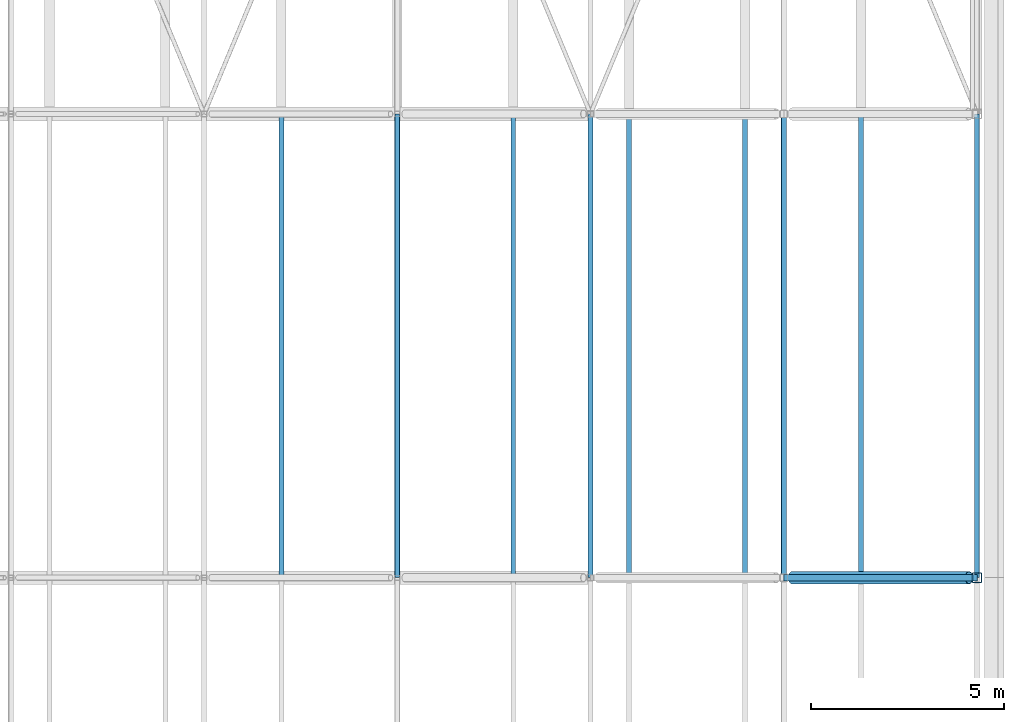
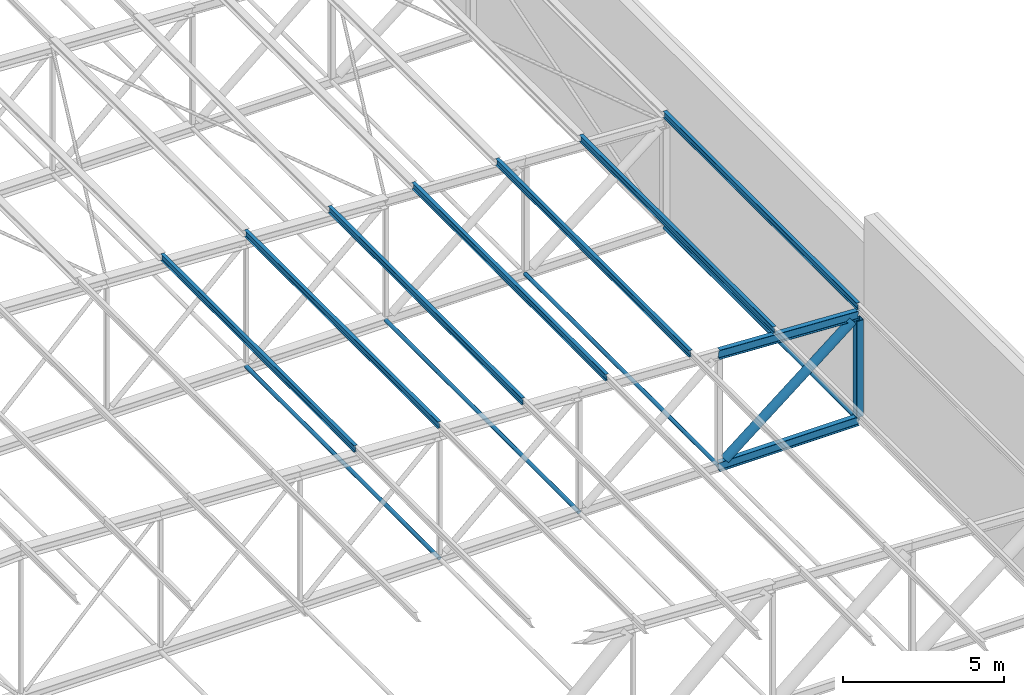
# One storey, part 118 of 156: 15 members.
"""IFC4 building model written with IfcOpenShell, lengths in metres."""

import ifcopenshell
import ifcopenshell.guid

model = None  # the IFC model being written
_history = None  # IfcOwnerHistory: only IFC2X3 demands one
_inside = {}  # id of a spatial element -> (the spatial element, [elements in it])
_under = {}  # id of a project, library or spatial element -> (it, [spatial elements below it])
_declared = {}  # id of a project -> (the project, [libraries it declares])
_typed = {}  # id of a type object -> (the type object, [elements of that type])
_made_of = {}  # id of a material, layer set ... -> (it, [elements and type objects made of it])


def new_model(schema):
    """Start an empty IFC model of exactly this schema.

    Asked for "IFC4X3", IfcOpenShell would pick the latest addendum, in which some entities
    have other attributes; the version numbers below select the first issue.
    IFC2X3 requires an IfcOwnerHistory on every rooted entity: one is made here for all.
    """
    global model, _history
    if schema == "IFC4X3":
        model = ifcopenshell.file(schema_version=(4, 3, 0, 0))
    else:
        model = ifcopenshell.file(schema=schema)
    _inside.clear()
    _under.clear()
    _declared.clear()
    _typed.clear()
    _made_of.clear()
    _history = None
    if model.schema == "IFC2X3":
        org = make("IfcOrganization", Name="unknown")
        user = make(
            "IfcPersonAndOrganization",
            ThePerson=make("IfcPerson", FamilyName="unknown"),
            TheOrganization=org,
        )
        app = make(
            "IfcApplication",
            ApplicationDeveloper=org,
            Version="unknown",
            ApplicationFullName="unknown",
            ApplicationIdentifier="unknown",
        )
        _history = make(
            "IfcOwnerHistory",
            OwningUser=user,
            OwningApplication=app,
            ChangeAction="ADDED",
            CreationDate=0,
        )
    return model


def make(cls, **values):
    """One entity of the class cls with the attributes given. An attribute that is None is left unset."""
    return model.create_entity(
        cls, **{name: value for name, value in values.items() if value is not None}
    )


def rooted(cls, **values):
    """An entity with a GlobalId (a new one), such as an element, a storey or a relation."""
    return make(cls, GlobalId=ifcopenshell.guid.new(), OwnerHistory=_history, **values)


def si_unit(unit_type, name, prefix=None):
    """IfcSIUnit, for example si_unit("LENGTHUNIT", "METRE", prefix="MILLI")."""
    return make("IfcSIUnit", UnitType=unit_type, Prefix=prefix, Name=name)


def assignment(units):
    """IfcUnitAssignment: the units of a project."""
    return None if units is None else make("IfcUnitAssignment", Units=units)


def point(xyz):
    """IfcCartesianPoint."""
    return None if xyz is None else make("IfcCartesianPoint", Coordinates=xyz)


def direction(xyz):
    """IfcDirection."""
    return None if xyz is None else make("IfcDirection", DirectionRatios=xyz)


def frame(location, z_axis=None, x_axis=None):
    """IfcAxis2Placement3D, a coordinate frame: its origin and axes. An axis left out is left unset."""
    return make(
        "IfcAxis2Placement3D",
        Location=point(location),
        Axis=direction(z_axis),
        RefDirection=direction(x_axis),
    )


def frame_2d(location, x_axis=None):
    """IfcAxis2Placement2D, a coordinate frame in the plane: its origin and x axis."""
    return make(
        "IfcAxis2Placement2D", Location=point(location), RefDirection=direction(x_axis)
    )


def origin():
    """The frame at (0, 0, 0) with its axes left unset."""
    return frame((0.0, 0.0, 0.0))


def origin_2d():
    """The frame at (0, 0) in the plane with its x axis left unset."""
    return frame_2d((0.0, 0.0))


def place(relative_to, where):
    """IfcLocalPlacement: puts the frame where relative to a parent placement (None: the world)."""
    return make(
        "IfcLocalPlacement", PlacementRelTo=relative_to, RelativePlacement=where
    )


def context(
    kind, dimensions, precision=None, world=None, true_north=None, identifier=None
):
    """IfcGeometricRepresentationContext, for example the 3D "Model" context."""
    return make(
        "IfcGeometricRepresentationContext",
        ContextIdentifier=identifier,
        ContextType=kind,
        CoordinateSpaceDimension=dimensions,
        Precision=precision,
        WorldCoordinateSystem=world,
        TrueNorth=true_north,
    )


def subcontext(parent, identifier, kind, view, scale=None):
    """IfcGeometricRepresentationSubContext, for example "Body" below "Model"."""
    return make(
        "IfcGeometricRepresentationSubContext",
        ContextIdentifier=identifier,
        ContextType=kind,
        ParentContext=parent,
        TargetScale=scale,
        TargetView=view,
    )


def project(units=None, contexts=None):
    """IfcProject with its units and contexts."""
    return rooted(
        "IfcProject",
        Name="project",
        RepresentationContexts=contexts,
        UnitsInContext=assignment(units),
    )


def spatial(cls, under=None, at=None, **own):
    """A site, building, storey or space (cls), placed at a placement, below another one or the project."""
    s = rooted(cls, ObjectPlacement=at, **own)
    if under is not None:
        _under.setdefault(under.id(), (under, []))[1].append(s)
    return s


def profile(cls, at=None, kind="AREA", **sizes):
    """A parametric profile (cls). Its sizes go by their IFC names, for example OverallWidth=200.0."""
    return make(cls, ProfileType=kind, Position=at, **sizes)


def hollow_rectangle(**sizes):
    """IfcRectangleHollowProfileDef."""
    return profile("IfcRectangleHollowProfileDef", **sizes)


def hollow_circle(**sizes):
    """IfcCircleHollowProfileDef."""
    return profile("IfcCircleHollowProfileDef", **sizes)


def i_section(**sizes):
    """IfcIShapeProfileDef."""
    return profile("IfcIShapeProfileDef", **sizes)


def extrude(swept, where, along, depth):
    """IfcExtrudedAreaSolid: the profile swept, set in the frame where, extruded along a direction by depth."""
    return make(
        "IfcExtrudedAreaSolid",
        SweptArea=swept,
        Position=where,
        ExtrudedDirection=direction(along),
        Depth=depth,
    )


def shape(context_of_items, identifier, shape_type, items):
    """IfcShapeRepresentation: the items that make up one representation, for example the "Body"."""
    return make(
        "IfcShapeRepresentation",
        ContextOfItems=context_of_items,
        RepresentationIdentifier=identifier,
        RepresentationType=shape_type,
        Items=items,
    )


def material(Name=None, Category=None):
    """IfcMaterial."""
    return make("IfcMaterial", Name=Name, Category=Category)


def material_profile(
    of_material, cross_section, Name=None, Category=None, Priority=None
):
    """IfcMaterialProfile: a cross section and its material."""
    return make(
        "IfcMaterialProfile",
        Name=Name,
        Material=of_material,
        Profile=cross_section,
        Priority=Priority,
        Category=Category,
    )


def profile_set(profiles, Name=None, composite=None):
    """IfcMaterialProfileSet."""
    return make(
        "IfcMaterialProfileSet",
        Name=Name,
        MaterialProfiles=profiles,
        CompositeProfile=composite,
    )


def made_of(thing, what):
    """Note that an element or type object is made of a material, layer set ...; save() writes the relation."""
    if what is not None:
        _made_of.setdefault(what.id(), (what, []))[1].append(thing)
    return thing


def type_object(cls, material=None, **own):
    """A type object (cls), such as IfcWallType, which elements share."""
    return made_of(rooted(cls, **own), material)


def element(
    cls,
    number,
    at=None,
    inside=None,
    cuts=None,
    type_object=None,
    material=None,
    context=None,
    identifier="Body",
    shape_type=None,
    held_by="IfcProductDefinitionShape",
    body=None,
    shapes=None,
    **own,
):
    """One element of the class cls, such as IfcWall. Its Tag is "e" and its number.

    at: its placement. inside: the storey or other place that contains it. cuts: it is an
    opening in that element (IfcRelVoidsElement). A single representation is given by context,
    identifier, shape_type and body (its items); several are given by shapes. held_by: the class
    of the entity that holds the representations. save() writes the other relations.
    """
    e = rooted(cls, Tag="e%d" % number, ObjectPlacement=at, **own)
    if body is not None:
        shapes = [shape(context, identifier, shape_type, body)]
    if shapes is not None:
        e.Representation = make(held_by, Representations=shapes)
    if inside is not None:
        _inside.setdefault(inside.id(), (inside, []))[1].append(e)
    if cuts is not None:
        rooted(
            "IfcRelVoidsElement", RelatingBuildingElement=cuts, RelatedOpeningElement=e
        )
    if type_object is not None:
        _typed.setdefault(type_object.id(), (type_object, []))[1].append(e)
    return made_of(e, material)


def aggregate(whole, parts):
    """IfcRelAggregates: a whole, such as a stair, and the parts it consists of."""
    return rooted("IfcRelAggregates", RelatingObject=whole, RelatedObjects=parts)


def save(model, path):
    """Write the relations noted so far, then the file.

    IfcRelAggregates (storeys below a building ...), IfcRelContainedInSpatialStructure (elements
    in a storey), IfcRelDefinesByType, IfcRelAssociatesMaterial and IfcRelDeclares: one each for
    every whole, place, type object, material and project.
    """
    for whole, parts in _under.values():
        aggregate(whole, parts)
    for where, things in _inside.values():
        rooted(
            "IfcRelContainedInSpatialStructure",
            RelatedElements=things,
            RelatingStructure=where,
        )
    for kind, things in _typed.values():
        rooted("IfcRelDefinesByType", RelatedObjects=things, RelatingType=kind)
    for what, things in _made_of.values():
        rooted("IfcRelAssociatesMaterial", RelatedObjects=things, RelatingMaterial=what)
    for by, libraries in _declared.values():
        rooted("IfcRelDeclares", RelatingContext=by, RelatedDefinitions=libraries)
    model.write(path)


model = new_model("IFC4")

# Units and contexts
model_context = context("Model", 3, precision=1e-05, world=origin(), true_north=direction((0.0, 1.0)))
body_context = subcontext(model_context, "Body", "Model", "MODEL_VIEW")
ifc_project = project(units=[si_unit("LENGTHUNIT", "METRE"), si_unit("AREAUNIT", "SQUARE_METRE"), si_unit("VOLUMEUNIT", "CUBIC_METRE"), si_unit("PLANEANGLEUNIT", "RADIAN"), si_unit("MASSUNIT", "GRAM", prefix="KILO")], contexts=[model_context])

# Site, building, storey
site_placement = place(None, origin())
site = spatial("IfcSite", under=ifc_project, at=site_placement, CompositionType="ELEMENT")
building_placement = place(site_placement, origin())
building = spatial("IfcBuilding", under=site, at=building_placement, Name="Lilac Gate Convention Centre", CompositionType="ELEMENT")
storey_placement = place(building_placement, frame((0.0, 0.0, 17.0)))
storey = spatial("IfcBuildingStorey", under=building, at=storey_placement, Name="L03", CompositionType="ELEMENT", Elevation=17.0)

# Members
ifc_material = material(Name="Steel Q355B", Category="steel")
ifc_material_profile_1 = material_profile(ifc_material, hollow_circle(Radius=0.06982421875, WallThickness=0.0048828125, at=origin_2d()), Name="CHS139.7x5")
ifc_profile_set_1 = profile_set([ifc_material_profile_1], Name="Steel Q355B")
member_type_1 = type_object("IfcMemberType", Name="Bottom chord tie CHS139.7x5", PredefinedType="STRUT", material=ifc_profile_set_1)
member_1_placement = place(storey_placement, frame((75.0, 162.006103515625, 0.0), z_axis=(0.0, 1.0, 0.0), x_axis=(-1.0, 0.0, 0.0)))
element("IfcMember", 1, at=member_1_placement, inside=storey, type_object=member_type_1, Name="ST1 tie bay 12 node 10", PredefinedType="STRUT", context=body_context, shape_type="SweptSolid", body=[
    extrude(hollow_circle(Radius=0.06982421875, WallThickness=0.0048828125, at=origin_2d()), origin(), (0.0, 0.0, 1.0), 11.98779296875),
])
for number, where, z_axis, x_axis, name in (
    (2, (80.0, 162.00341796875, 0.0), (0.0, 1.0, 0.0), (-1.0, 0.0, 0.0), "ST1 tie bay 12 node 11"),
    (3, (85.0, 162.00341796875, 0.0), (0.0, 1.0, 0.0), (-1.0, 0.0, 0.0), "ST1 tie bay 12 node 12"),
    (4, (90.0, 162.00341796875, 0.0), (0.0, 1.0, 0.0), (-1.0, 0.0, 0.0), "ST1 tie bay 12 node 13"),
):
    element("IfcMember", number, at=place(storey_placement, frame(where, z_axis=z_axis, x_axis=x_axis)), inside=storey, type_object=member_type_1, Name=name, PredefinedType="STRUT", context=body_context, shape_type="SweptSolid", body=[
        extrude(hollow_circle(Radius=0.06982421875, WallThickness=0.0048828125, at=origin_2d()), origin(), (0.0, 0.0, 1.0), 11.9931640625),
    ])
ifc_material_profile_2 = material_profile(ifc_material, i_section(OverallWidth=0.125, OverallDepth=0.25, WebThickness=0.006103515625, FlangeThickness=0.009033203125, FilletRadius=0.008056640625, at=origin_2d()), Name="HN250x125x6x9")
ifc_profile_set_2 = profile_set([ifc_material_profile_2], Name="Steel Q355B")
member_type_2 = type_object("IfcMemberType", Name="Roof purlin HN250x125x6x9", PredefinedType="PURLIN", material=ifc_profile_set_2)
for number, where, z_axis, x_axis, name in (
    (5, (72.0, 162.0, 5.2001953125), (0.0, 1.0, 0.0), (-1.0, 0.0, 0.0), "PU2 purlin bay 12 line 15"),
    (6, (75.0, 162.0, 5.05029296875), (0.0, 1.0, 0.0), (-1.0, 0.0, 0.0), "PU2 purlin bay 12 line 16"),
    (7, (78.0, 162.0, 4.900146484375), (0.0, 1.0, 0.0), (-1.0, 0.0, 0.0), "PU2 purlin bay 12 line 17"),
    (8, (81.0, 162.0, 4.750244140625), (0.0, 1.0, 0.0), (-1.0, 0.0, 0.0), "PU2 purlin bay 12 line 18"),
    (9, (84.0, 162.0, 4.60009765625), (0.0, 1.0, 0.0), (-1.0, 0.0, 0.0), "PU2 purlin bay 12 line 19"),
    (10, (87.0, 162.0, 4.4501953125), (0.0, 1.0, 0.0), (-1.0, 0.0, 0.0), "PU2 purlin bay 12 line 20"),
    (11, (90.0, 162.0, 4.30029296875), (0.0, 1.0, 0.0), (-1.0, 0.0, 0.0), "PU2 purlin bay 12 line 21"),
):
    element("IfcMember", number, at=place(storey_placement, frame(where, z_axis=z_axis, x_axis=x_axis)), inside=storey, type_object=member_type_2, Name=name, PredefinedType="PURLIN", context=body_context, shape_type="SweptSolid", body=[
        extrude(i_section(OverallWidth=0.125, OverallDepth=0.25, WebThickness=0.006103515625, FlangeThickness=0.009033203125, FilletRadius=0.008056640625, at=origin_2d()), origin(), (0.0, 0.0, 1.0), 12.0),
    ])
ifc_material_profile_3 = material_profile(ifc_material, i_section(OverallWidth=0.175048828125, OverallDepth=0.35009765625, WebThickness=0.007080078125, FlangeThickness=0.010986328125, FilletRadius=0.012939453125, at=origin_2d()), Name="HN350x175x7x11")
ifc_profile_set_3 = profile_set([ifc_material_profile_3], Name="Steel Q355B")
member_type_3 = type_object("IfcMemberType", Name="Truss bottom chord HN350x175x7x11", PredefinedType="CHORD", material=ifc_profile_set_3)
member_2_placement = place(storey_placement, frame((85.0, 162.0, 0.0), z_axis=(1.0, 0.0, 0.0), x_axis=(0.0, 1.0, 0.0)))
element("IfcMember", 12, at=member_2_placement, inside=storey, type_object=member_type_3, Name="TB1 truss 12 bottom chord 12", PredefinedType="CHORD", context=body_context, shape_type="SweptSolid", body=[
    extrude(i_section(OverallWidth=0.175048828125, OverallDepth=0.35009765625, WebThickness=0.007080078125, FlangeThickness=0.010986328125, FilletRadius=0.012939453125, at=origin_2d()), origin(), (0.0, 0.0, 1.0), 5.0),
])
ifc_material_profile_4 = material_profile(ifc_material, hollow_circle(Radius=0.161865234375, WallThickness=0.011962890625, at=origin_2d()), Name="CHS323.9x12")
ifc_profile_set_4 = profile_set([ifc_material_profile_4], Name="Steel Q355B")
member_type_4 = type_object("IfcMemberType", Name="Truss diagonal CHS323.9x12", PredefinedType="BRACE", material=ifc_profile_set_4)
member_3_placement = place(storey_placement, frame((89.794677734375, 162.0, 3.835693359375), z_axis=(-0.780876938611, 0.0, -0.624684885959), x_axis=(0.0, -1.0, 0.0)))
element("IfcMember", 13, at=member_3_placement, inside=storey, type_object=member_type_4, Name="TW1 truss 12 diagonal 12", PredefinedType="BRACE", context=body_context, shape_type="SweptSolid", body=[
    extrude(hollow_circle(Radius=0.161865234375, WallThickness=0.011962890625, at=origin_2d()), origin(), (0.0, 0.0, 1.0), 5.860107421875),
])
ifc_material_profile_5 = material_profile(ifc_material, i_section(OverallWidth=0.175048828125, OverallDepth=0.35009765625, WebThickness=0.007080078125, FlangeThickness=0.010986328125, FilletRadius=0.012939453125, at=origin_2d()), Name="HN350x175x7x11")
ifc_profile_set_5 = profile_set([ifc_material_profile_5], Name="Steel Q355B")
member_type_5 = type_object("IfcMemberType", Name="Truss top chord HN350x175x7x11", PredefinedType="CHORD", material=ifc_profile_set_5)
member_4_placement = place(storey_placement, frame((85.0, 162.0, 4.25), z_axis=(0.998752338878, 0.0, -0.049937616944), x_axis=(0.0, 1.0, 0.0)))
element("IfcMember", 14, at=member_4_placement, inside=storey, type_object=member_type_5, Name="TT1 truss 12 top chord 12", PredefinedType="CHORD", context=body_context, shape_type="SweptSolid", body=[
    extrude(i_section(OverallWidth=0.175048828125, OverallDepth=0.35009765625, WebThickness=0.007080078125, FlangeThickness=0.010986328125, FilletRadius=0.012939453125, at=origin_2d()), origin(), (0.0, 0.0, 1.0), 5.00634765625),
])
ifc_material_profile_6 = material_profile(ifc_material, hollow_rectangle(XDim=0.25, YDim=0.25, WallThickness=0.010009765625, InnerFilletRadius=0.014892578125, OuterFilletRadius=0.02490234375, at=origin_2d()), Name="SHS250x250x10")
ifc_profile_set_6 = profile_set([ifc_material_profile_6], Name="Steel Q355B")
member_type_6 = type_object("IfcMemberType", Name="Truss vertical SHS250x250x10", PredefinedType="STRUT", material=ifc_profile_set_6)
member_5_placement = place(storey_placement, frame((90.0, 162.0, 0.175048828125), z_axis=(0.0, 0.0, 1.0), x_axis=(1.0, 0.0, 0.0)))
element("IfcMember", 15, at=member_5_placement, inside=storey, type_object=member_type_6, Name="TV1 truss 12 vertical 13", PredefinedType="STRUT", context=body_context, shape_type="SweptSolid", body=[
    extrude(hollow_rectangle(XDim=0.25, YDim=0.25, WallThickness=0.010009765625, InnerFilletRadius=0.014892578125, OuterFilletRadius=0.02490234375, at=origin_2d()), origin(), (0.0, 0.0, 1.0), 3.649658203125),
])

save(model, "model.ifc")
